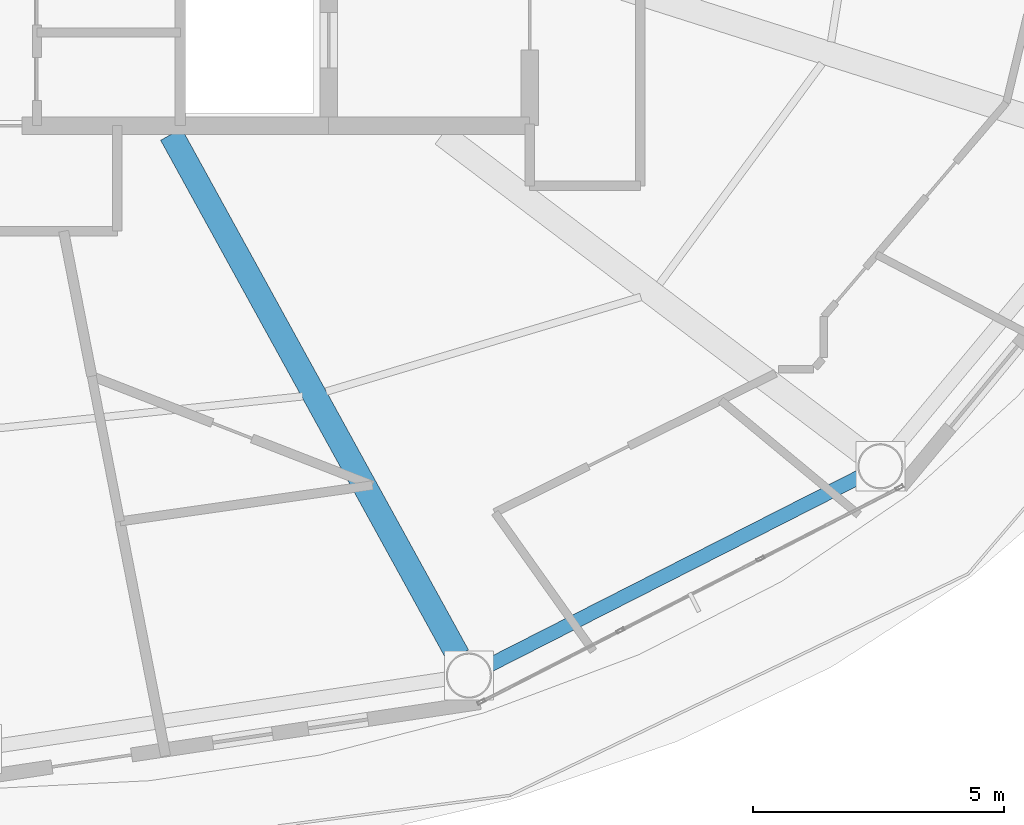
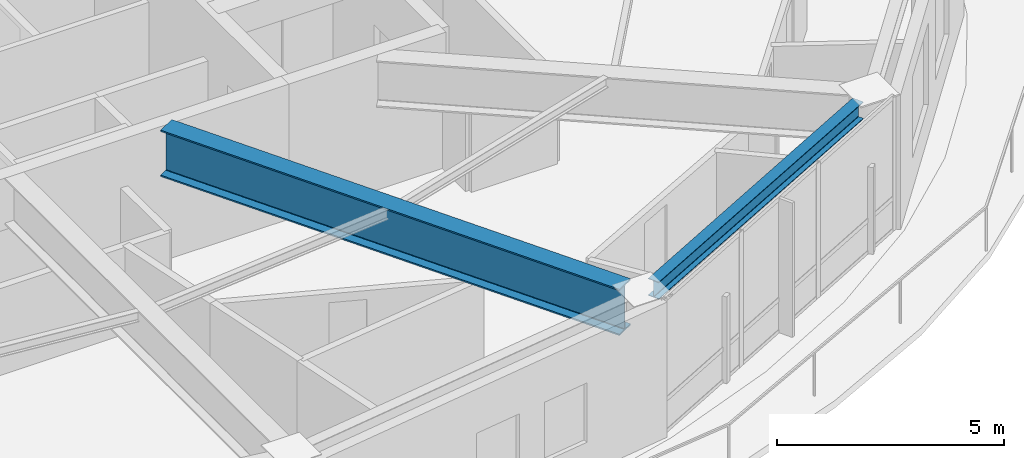
# One storey, part 6 of 24: 2 beams.
"""IFC4 building model written with IfcOpenShell, lengths in metres."""

from ifc_helpers import new_model, si_unit, direction, frame, origin, origin_2d, place, context, subcontext, project, spatial, i_section, extrude, material, material_profile, profile_set, type_object, element, save


model = new_model("IFC4")

# Units and contexts
model_context = context("Model", 3, precision=1e-05, world=origin(), true_north=direction((0.0, 1.0)))
body_context = subcontext(model_context, "Body", "Model", "MODEL_VIEW")
ifc_project = project(units=[si_unit("LENGTHUNIT", "METRE"), si_unit("AREAUNIT", "SQUARE_METRE"), si_unit("VOLUMEUNIT", "CUBIC_METRE"), si_unit("PLANEANGLEUNIT", "RADIAN"), si_unit("MASSUNIT", "GRAM", prefix="KILO")], contexts=[model_context])

# Site, building, storey
site_placement = place(None, origin())
site = spatial("IfcSite", under=ifc_project, at=site_placement, CompositionType="ELEMENT")
building_placement = place(site_placement, origin())
building = spatial("IfcBuilding", under=site, at=building_placement, Name="Sarneth Arch Tower", CompositionType="ELEMENT")
storey_placement = place(building_placement, frame((0.0, 0.0, 312.60009765625)))
storey = spatial("IfcBuildingStorey", under=building, at=storey_placement, Name="L81", CompositionType="ELEMENT", Elevation=312.60009765625)

# Beams
ifc_material_1 = material(Name="Steel S355", Category="steel")
ifc_material_profile_1 = material_profile(ifc_material_1, i_section(OverallWidth=0.280029296875, OverallDepth=0.462890625, WebThickness=0.0107421875, FlangeThickness=0.017333984375, FilletRadius=0.01806640625, at=origin_2d()), Name="W460x113")
ifc_profile_set_1 = profile_set([ifc_material_profile_1], Name="Steel S355")
beam_type_1 = type_object("IfcBeamType", Name="BM-RAD-460A", PredefinedType="BEAM", material=ifc_profile_set_1)
beam_1_placement = place(storey_placement, frame((58.19189453125, 24.465576171875, 3.408447265625), z_axis=(0.891376248079, 0.453264144138, 0.0), x_axis=(-0.453264144138, 0.891376248079, 0.0)))
element("IfcBeam", 1, at=beam_1_placement, inside=storey, type_object=beam_type_1, Name="L81 Perimeter spandrel beam 14", PredefinedType="BEAM", context=body_context, shape_type="SweptSolid", body=[
    extrude(i_section(OverallWidth=0.280029296875, OverallDepth=0.462890625, WebThickness=0.0107421875, FlangeThickness=0.017333984375, FilletRadius=0.01806640625, at=origin_2d()), origin(), (0.0, 0.0, 1.0), 8.281982421875),
])
ifc_material_2 = material(Name="Steel S355", Category="steel")
ifc_material_profile_2 = material_profile(ifc_material_2, i_section(OverallWidth=0.47998046875, OverallDepth=1.25, WebThickness=0.02001953125, FlangeThickness=0.0380859375, FilletRadius=0.02197265625, at=origin_2d()), Name="CVS1250x520")
ifc_profile_set_2 = profile_set([ifc_material_profile_2], Name="Steel S355")
beam_type_2 = type_object("IfcBeamType", Name="BM-XFER-1250", PredefinedType="BEAM", material=ifc_profile_set_2)
beam_2_placement = place(storey_placement, frame((51.86865234375, 35.02490234375, 3.014892578125), z_axis=(0.482067616506, -0.8761340155, 0.0), x_axis=(0.8761340155, 0.482067616506, 0.0)))
element("IfcBeam", 2, at=beam_2_placement, inside=storey, type_object=beam_type_2, Name="L81 Step-taper transfer girder 14", PredefinedType="BEAM", context=body_context, shape_type="SweptSolid", body=[
    extrude(i_section(OverallWidth=0.47998046875, OverallDepth=1.25, WebThickness=0.02001953125, FlangeThickness=0.0380859375, FilletRadius=0.02197265625, at=origin_2d()), origin(), (0.0, 0.0, 1.0), 11.835205078125),
])

save(model, "model.ifc")
